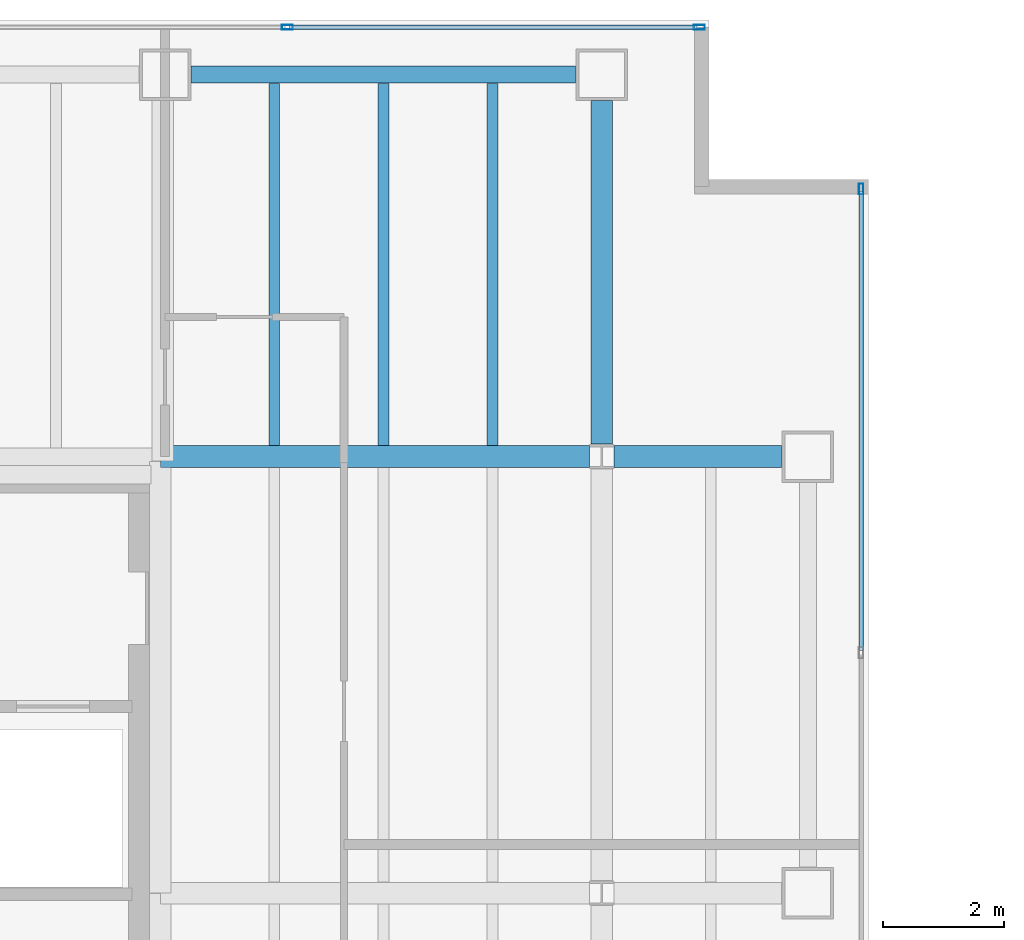
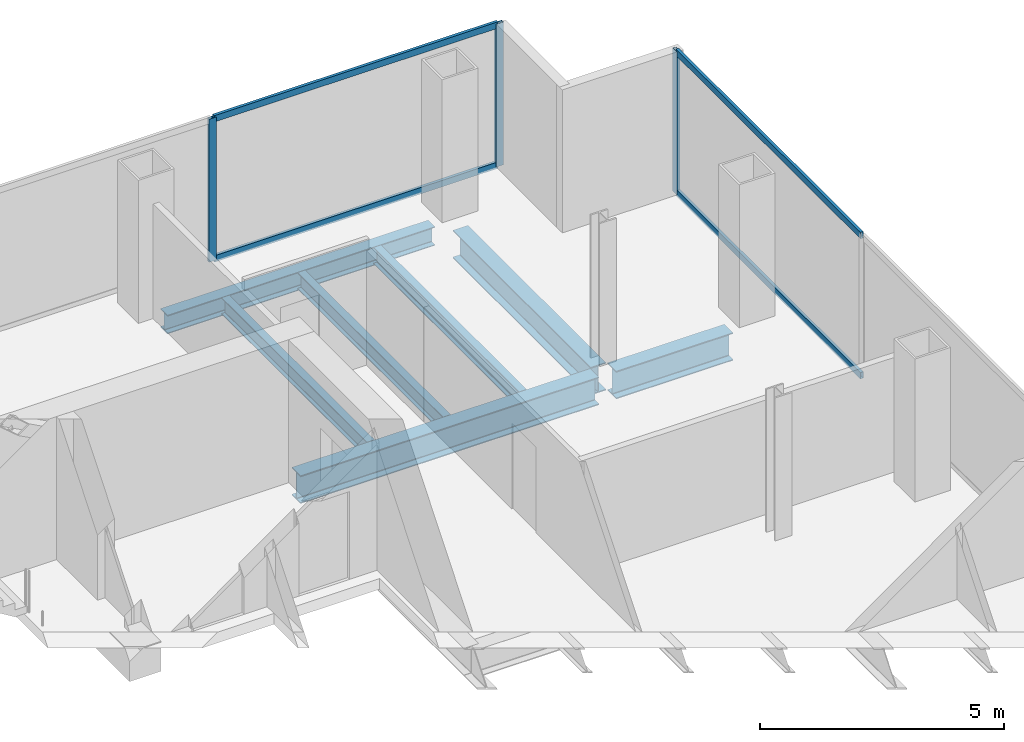
# One storey, part 18 of 23: 7 beams, 7 members, 2 elements without a shape of their own.
"""IFC4 building model written with IfcOpenShell, lengths in metres."""

from ifc_helpers import new_model, si_unit, direction, frame, origin, origin_2d, place, context, subcontext, project, spatial, hollow_rectangle, i_section, extrude, material, material_profile, profile_set, type_object, element, aggregate, save


model = new_model("IFC4")

# Units and contexts
model_context = context("Model", 3, precision=1e-05, world=origin(), true_north=direction((0.0, 1.0)))
body_context = subcontext(model_context, "Body", "Model", "MODEL_VIEW")
ifc_project = project(units=[si_unit("LENGTHUNIT", "METRE"), si_unit("AREAUNIT", "SQUARE_METRE"), si_unit("VOLUMEUNIT", "CUBIC_METRE"), si_unit("PLANEANGLEUNIT", "RADIAN"), si_unit("MASSUNIT", "GRAM", prefix="KILO")], contexts=[model_context])

# Site, building, storey
site_placement = place(None, origin())
site = spatial("IfcSite", under=ifc_project, at=site_placement, CompositionType="ELEMENT")
building_placement = place(site_placement, origin())
building = spatial("IfcBuilding", under=site, at=building_placement, Name="Cobrela Telecom Tower", CompositionType="ELEMENT")
storey_placement = place(building_placement, frame((0.0, 0.0, 156.10009765625)))
storey = spatial("IfcBuildingStorey", under=building, at=storey_placement, Name="L39", CompositionType="ELEMENT", Elevation=156.10009765625)

# Beams
ifc_material_1 = material(Name="Steel ASTM A992 Grade 50", Category="steel")
ifc_material_profile_1 = material_profile(ifc_material_1, i_section(OverallWidth=0.35595703125, OverallDepth=0.696044921875, WebThickness=0.015380859375, FlangeThickness=0.024658203125, FilletRadius=0.01806640625, at=origin_2d()), Name="W27X146")
ifc_profile_set_1 = profile_set([ifc_material_profile_1], Name="Steel ASTM A992 Grade 50")
beam_type_1 = type_object("IfcBeamType", Name="BM-GIRD-05", PredefinedType="USERDEFINED", material=ifc_profile_set_1)
beam_1_placement = place(storey_placement, frame((14.324951171875, 36.0, -0.6181640625), z_axis=(1.0, 0.0, 0.0), x_axis=(0.0, 1.0, 0.0)))
element("IfcBeam", 1, at=beam_1_placement, inside=storey, type_object=beam_type_1, Name="L39 Primary Girder X23", ObjectType="GIRDER", PredefinedType="USERDEFINED", context=body_context, shape_type="SweptSolid", body=[
    extrude(i_section(OverallWidth=0.35595703125, OverallDepth=0.696044921875, WebThickness=0.015380859375, FlangeThickness=0.024658203125, FilletRadius=0.01806640625, at=origin_2d()), origin(), (0.0, 0.0, 1.0), 7.070556640625),
])
beam_2_placement = place(storey_placement, frame((21.804443359375, 36.0, -0.6181640625), z_axis=(1.0, 0.0, 0.0), x_axis=(0.0, 1.0, 0.0)))
element("IfcBeam", 2, at=beam_2_placement, inside=storey, type_object=beam_type_1, Name="L39 Primary Girder X24", ObjectType="GIRDER", PredefinedType="USERDEFINED", context=body_context, shape_type="SweptSolid", body=[
    extrude(i_section(OverallWidth=0.35595703125, OverallDepth=0.696044921875, WebThickness=0.015380859375, FlangeThickness=0.024658203125, FilletRadius=0.01806640625, at=origin_2d()), origin(), (0.0, 0.0, 1.0), 2.765625),
])
beam_3_placement = place(storey_placement, frame((21.60009765625, 36.20458984375, -0.6181640625), z_axis=(0.0, 1.0, 0.0), x_axis=(-1.0, 0.0, 0.0)))
element("IfcBeam", 3, at=beam_3_placement, inside=storey, type_object=beam_type_1, Name="L39 Primary Girder Y40", ObjectType="GIRDER", PredefinedType="USERDEFINED", context=body_context, shape_type="SweptSolid", body=[
    extrude(i_section(OverallWidth=0.35595703125, OverallDepth=0.696044921875, WebThickness=0.015380859375, FlangeThickness=0.024658203125, FilletRadius=0.01806640625, at=origin_2d()), origin(), (0.0, 0.0, 1.0), 5.66552734375),
])
ifc_material_profile_2 = material_profile(ifc_material_1, i_section(OverallWidth=0.179931640625, OverallDepth=0.4169921875, WebThickness=0.010986328125, FlangeThickness=0.01806640625, FilletRadius=0.011962890625, at=origin_2d()), Name="W16X57")
ifc_profile_set_2 = profile_set([ifc_material_profile_2], Name="Steel ASTM A992 Grade 50")
beam_type_2 = type_object("IfcBeamType", Name="BM-JOIST-04", PredefinedType="JOIST", material=ifc_profile_set_2)
for number, where, z_axis, x_axis, name in (
    (4, (16.199951171875, 36.18310546875, -0.478515625), (0.0, 1.0, 0.0), (-1.0, 0.0, 0.0), "L39 Secondary Composite Floor Beam J08"),
    (5, (18.0, 36.18310546875, -0.478515625), (0.0, 1.0, 0.0), (-1.0, 0.0, 0.0), "L39 Secondary Composite Floor Beam J13"),
    (6, (19.800048828125, 36.18310546875, -0.478515625), (0.0, 1.0, 0.0), (-1.0, 0.0, 0.0), "L39 Secondary Composite Floor Beam J18"),
):
    element("IfcBeam", number, at=place(storey_placement, frame(where, z_axis=z_axis, x_axis=x_axis)), inside=storey, type_object=beam_type_2, Name=name, PredefinedType="JOIST", context=body_context, shape_type="SweptSolid", body=[
        extrude(i_section(OverallWidth=0.179931640625, OverallDepth=0.4169921875, WebThickness=0.010986328125, FlangeThickness=0.01806640625, FilletRadius=0.011962890625, at=origin_2d()), origin(), (0.0, 0.0, 1.0), 5.970947265625),
    ])
ifc_material_profile_3 = material_profile(ifc_material_1, i_section(OverallWidth=0.281982421875, OverallDepth=0.467041015625, WebThickness=0.01220703125, FlangeThickness=0.01953125, FilletRadius=0.012939453125, at=origin_2d()), Name="W18X86")
ifc_profile_set_3 = profile_set([ifc_material_profile_3], Name="Steel ASTM A992 Grade 50")
beam_type_3 = type_object("IfcBeamType", Name="BM-SPAND-04", PredefinedType="SPANDREL", material=ifc_profile_set_3)
beam_4_placement = place(storey_placement, frame((14.830078125, 42.300048828125, -0.503662109375), z_axis=(1.0, 0.0, 0.0), x_axis=(0.0, 1.0, 0.0)))
element("IfcBeam", 7, at=beam_4_placement, inside=storey, type_object=beam_type_3, Name="L39 Perimeter Spandrel X26", PredefinedType="SPANDREL", context=body_context, shape_type="SweptSolid", body=[
    extrude(i_section(OverallWidth=0.281982421875, OverallDepth=0.467041015625, WebThickness=0.01220703125, FlangeThickness=0.01953125, FilletRadius=0.012939453125, at=origin_2d()), origin(), (0.0, 0.0, 1.0), 6.33984375),
])

# Curtain wall, members
ifc_material_2 = material(Name="Anodized Bronze Aluminium 6063-T6", Category="aluminium")
curtain_wall_type = type_object("IfcCurtainWallType", Name="CW-SYS-TEL", PredefinedType="USERDEFINED", material=ifc_material_2)
curtain_wall_1_placement = place(storey_placement, origin())
curtain_wall_1 = element("IfcCurtainWall", 8, at=curtain_wall_1_placement, inside=storey, type_object=curtain_wall_type, Name="L39 Unitised Bronze Curtain Wall 07", ObjectType="UNITISED CURTAIN WALL", PredefinedType="USERDEFINED")
ifc_material_profile_4 = material_profile(ifc_material_2, hollow_rectangle(XDim=0.074951171875, YDim=0.179931640625, WallThickness=0.00390625, at=origin_2d()), Name="ALU 75x180x4")
ifc_profile_set_4 = profile_set([ifc_material_profile_4], Name="Anodized Bronze Aluminium 6063-T6")
member_type_1 = type_object("IfcMemberType", Name="CW-SYS-TEL-MUL", PredefinedType="MULLION", material=ifc_profile_set_4)
member_1_placement = place(storey_placement, frame((16.416748046875, 43.080078125, 0.0), z_axis=(0.0, 0.0, 1.0), x_axis=(0.0, 1.0, 0.0)))
member_1 = element("IfcMember", 9, at=member_1_placement, type_object=member_type_1, Name="CW-TEL mullion 3", PredefinedType="MULLION", context=body_context, shape_type="SweptSolid", body=[
    extrude(hollow_rectangle(XDim=0.074951171875, YDim=0.179931640625, WallThickness=0.00390625, at=origin_2d()), origin(), (0.0, 0.0, 1.0), 3.579833984375),
])
member_2_placement = place(storey_placement, frame((23.21240234375, 43.080078125, 0.0), z_axis=(0.0, 0.0, 1.0), x_axis=(0.0, 1.0, 0.0)))
member_2 = element("IfcMember", 10, at=member_2_placement, type_object=member_type_1, Name="CW-TEL mullion 4", PredefinedType="MULLION", context=body_context, shape_type="SweptSolid", body=[
    extrude(hollow_rectangle(XDim=0.074951171875, YDim=0.179931640625, WallThickness=0.00390625, at=origin_2d()), origin(), (0.0, 0.0, 1.0), 3.579833984375),
])

# Curtain wall, member
curtain_wall_2_placement = place(storey_placement, origin())
curtain_wall_2 = element("IfcCurtainWall", 11, at=curtain_wall_2_placement, inside=storey, type_object=curtain_wall_type, Name="L39 Unitised Bronze Curtain Wall 10", ObjectType="UNITISED CURTAIN WALL", PredefinedType="USERDEFINED")
member_3_placement = place(storey_placement, frame((25.8798828125, 40.41259765625, 0.0), z_axis=(0.0, 0.0, 1.0), x_axis=(1.0, 0.0, 0.0)))
member_3 = element("IfcMember", 12, at=member_3_placement, type_object=member_type_1, Name="CW-TEL mullion 1", PredefinedType="MULLION", context=body_context, shape_type="SweptSolid", body=[
    extrude(hollow_rectangle(XDim=0.074951171875, YDim=0.179931640625, WallThickness=0.00390625, at=origin_2d()), origin(), (0.0, 0.0, 1.0), 3.579833984375),
])

# Member
ifc_material_profile_5 = material_profile(ifc_material_2, hollow_rectangle(XDim=0.070068359375, YDim=0.159912109375, WallThickness=0.00390625, at=origin_2d()), Name="ALU 70x160x4")
ifc_profile_set_5 = profile_set([ifc_material_profile_5], Name="Anodized Bronze Aluminium 6063-T6")
member_type_2 = type_object("IfcMemberType", Name="CW-SYS-TEL-TRN", PredefinedType="USERDEFINED", material=ifc_profile_set_5)
member_4_placement = place(storey_placement, frame((16.4541015625, 43.080078125, 0.034912109375), z_axis=(1.0, 0.0, 0.0), x_axis=(0.0, 1.0, 0.0)))
member_4 = element("IfcMember", 13, at=member_4_placement, type_object=member_type_2, Name="CW-TEL transom 3.1", ObjectType="TRANSOM", PredefinedType="USERDEFINED", context=body_context, shape_type="SweptSolid", body=[
    extrude(hollow_rectangle(XDim=0.070068359375, YDim=0.159912109375, WallThickness=0.00390625, at=origin_2d()), origin(), (0.0, 0.0, 1.0), 6.720947265625),
])

member_5_placement = place(storey_placement, frame((16.4541015625, 43.080078125, 3.544921875), z_axis=(1.0, 0.0, 0.0), x_axis=(0.0, 1.0, 0.0)))
member_5 = element("IfcMember", 14, at=member_5_placement, type_object=member_type_2, Name="CW-TEL transom 3.2", ObjectType="TRANSOM", PredefinedType="USERDEFINED", context=body_context, shape_type="SweptSolid", body=[
    extrude(hollow_rectangle(XDim=0.070068359375, YDim=0.159912109375, WallThickness=0.00390625, at=origin_2d()), origin(), (0.0, 0.0, 1.0), 6.720947265625),
])

aggregate(curtain_wall_1, [member_1, member_2, member_4, member_5])

member_6_placement = place(storey_placement, frame((25.8798828125, 40.375, 0.034912109375), z_axis=(0.0, -1.0, 0.0), x_axis=(1.0, 0.0, 0.0)))
member_6 = element("IfcMember", 15, at=member_6_placement, type_object=member_type_2, Name="CW-TEL transom 1.1", ObjectType="TRANSOM", PredefinedType="USERDEFINED", context=body_context, shape_type="SweptSolid", body=[
    extrude(hollow_rectangle(XDim=0.070068359375, YDim=0.159912109375, WallThickness=0.00390625, at=origin_2d()), origin(), (0.0, 0.0, 1.0), 7.572509765625),
])

member_7_placement = place(storey_placement, frame((25.8798828125, 40.375, 3.544921875), z_axis=(0.0, -1.0, 0.0), x_axis=(1.0, 0.0, 0.0)))
member_7 = element("IfcMember", 16, at=member_7_placement, type_object=member_type_2, Name="CW-TEL transom 1.2", ObjectType="TRANSOM", PredefinedType="USERDEFINED", context=body_context, shape_type="SweptSolid", body=[
    extrude(hollow_rectangle(XDim=0.070068359375, YDim=0.159912109375, WallThickness=0.00390625, at=origin_2d()), origin(), (0.0, 0.0, 1.0), 7.572509765625),
])

aggregate(curtain_wall_2, [member_3, member_6, member_7])

save(model, "model.ifc")
